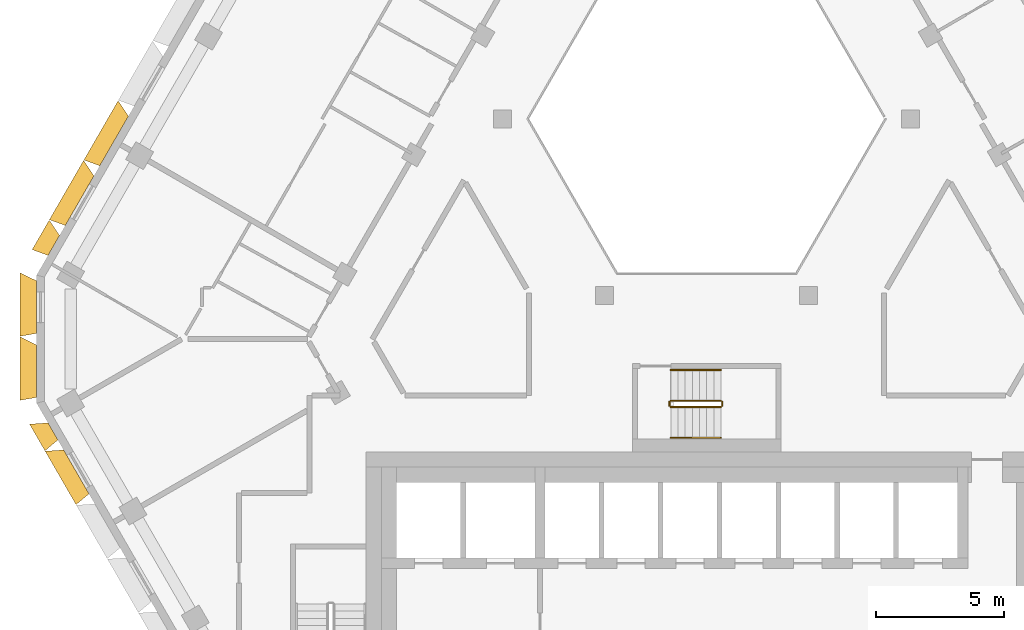
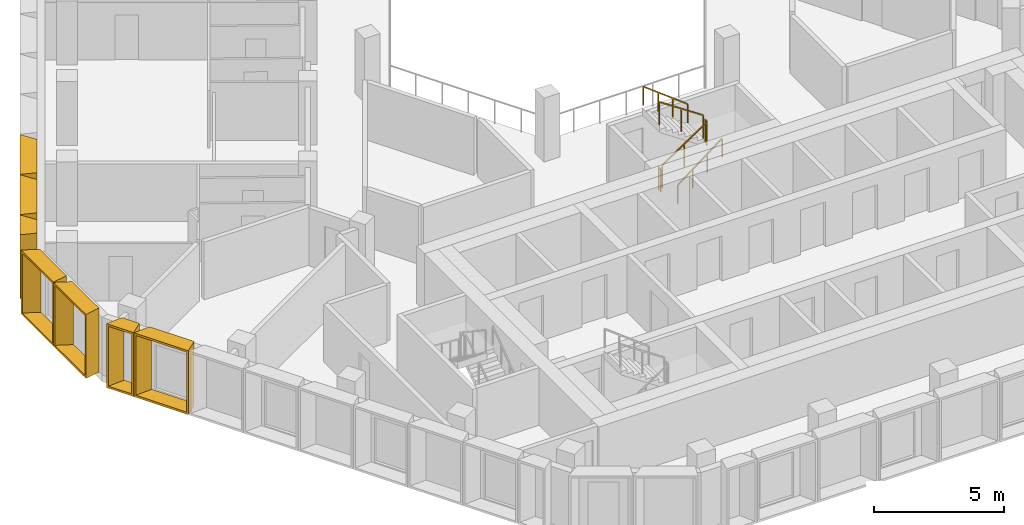
# One storey, part 12 of 15: 7 shading devices, 6 railings.
"""IFC4 building model written with IfcOpenShell, lengths in metres."""

from ifc_helpers import new_model, entity, si_unit, direction, frame, origin, origin_2d, place, context, subcontext, project, spatial, rectangle, extrude, source, transform, mapped, material, type_object, type_shapes, element, save


model = new_model("IFC4")

# Units and contexts
model_context = context("Model", 3, precision=1e-05, world=origin(), true_north=direction((0.0, 1.0)))
body_context = subcontext(model_context, "Body", "Model", "MODEL_VIEW")
ifc_project = project(units=[si_unit("LENGTHUNIT", "METRE"), si_unit("AREAUNIT", "SQUARE_METRE"), si_unit("VOLUMEUNIT", "CUBIC_METRE"), si_unit("PLANEANGLEUNIT", "RADIAN"), si_unit("MASSUNIT", "GRAM", prefix="KILO")], contexts=[model_context])

# Site, building, storey
site_placement = place(None, origin())
site = spatial("IfcSite", under=ifc_project, at=site_placement, CompositionType="ELEMENT")
building_placement = place(site_placement, origin())
building = spatial("IfcBuilding", under=site, at=building_placement, Name="Beryl Residences", CompositionType="ELEMENT")
storey_placement = place(building_placement, frame((0.0, 0.0, 193.199951171875)))
storey = spatial("IfcBuildingStorey", under=building, at=storey_placement, Name="L59", CompositionType="ELEMENT", Elevation=193.199951171875)

# Shading devices
ifc_material_1 = material(Name="Aluminium pale anodised", Category="aluminium")
shading_device_type_1 = type_object("IfcShadingDeviceType", Name="FR122-65B OUTER SKIN frame 650 mm deep, splay 26/10 deg, 1220 x 3000 mm cell", PredefinedType="USERDEFINED", material=ifc_material_1)
cartesian_point_1 = entity("IfcCartesianPoint", [-0.384033203125, 0.0])
cartesian_point_2 = entity("IfcCartesianPoint", [-0.294921875, 0.10009765625])
cartesian_point_3 = entity("IfcCartesianPoint", [-0.700927734375, 0.0])
cartesian_point_4 = entity("IfcCartesianPoint", [-0.612060546875, 0.10009765625])
shared_shape_1 = source(origin(), body_context, "Body", "SweptSolid", [
    entity("IfcExtrudedAreaSolidTapered", entity("IfcArbitraryProfileDefWithVoids", "AREA", None, entity("IfcPolyline", [cartesian_point_1, entity("IfcCartesianPoint", [0.384033203125, 0.0]), entity("IfcCartesianPoint", [0.384033203125, 3.0]), entity("IfcCartesianPoint", [-0.384033203125, 3.0]), cartesian_point_1]), [entity("IfcPolyline", [cartesian_point_2, entity("IfcCartesianPoint", [0.302734375, 0.10009765625]), entity("IfcCartesianPoint", [0.302734375, 2.89990234375]), entity("IfcCartesianPoint", [-0.294921875, 2.89990234375]), cartesian_point_2])]), entity("IfcAxis2Placement3D", entity("IfcCartesianPoint", [0.0, 0.0, 0.0]), entity("IfcDirection", [0.0, 1.0, 0.0]), entity("IfcDirection", [-1.0, 0.0, 0.0])), entity("IfcDirection", [0.0, 0.0, 1.0]), 0.64990234375, entity("IfcArbitraryProfileDefWithVoids", "AREA", None, entity("IfcPolyline", [cartesian_point_3, entity("IfcCartesianPoint", [0.49853515625, 0.0]), entity("IfcCartesianPoint", [0.49853515625, 3.0]), entity("IfcCartesianPoint", [-0.700927734375, 3.0]), cartesian_point_3]), [entity("IfcPolyline", [cartesian_point_4, entity("IfcCartesianPoint", [0.41748046875, 0.10009765625]), entity("IfcCartesianPoint", [0.41748046875, 2.89990234375]), entity("IfcCartesianPoint", [-0.612060546875, 2.89990234375]), cartesian_point_4])])),
])
type_shapes(shading_device_type_1, [shared_shape_1])
shading_device_1_placement = place(storey_placement, frame((-25.51708984375, -4.200927734375, 0.0), z_axis=(0.0, 0.0, 1.0), x_axis=(-0.5, 0.866025403784, 0.0)))
element("IfcShadingDevice", 1, at=shading_device_1_placement, inside=storey, type_object=shading_device_type_1, Name="FR122-65B frame L59 SW 1", ObjectType="OUTER SKIN", PredefinedType="USERDEFINED", context=body_context, shape_type="MappedRepresentation", body=[
    mapped(shared_shape_1, transform((0.0, 0.0, 0.0))),
])
ifc_material_2 = material(Name="Aluminium pale anodised", Category="aluminium")
shading_device_type_2 = type_object("IfcShadingDeviceType", Name="FR135-65B OUTER SKIN frame 650 mm deep, splay 26/10 deg, 1350 x 3000 mm cell", PredefinedType="USERDEFINED", material=ifc_material_2)
cartesian_point_5 = entity("IfcCartesianPoint", [-0.448974609375, 0.0])
cartesian_point_6 = entity("IfcCartesianPoint", [-0.360107421875, 0.10009765625])
cartesian_point_7 = entity("IfcCartesianPoint", [-0.76611328125, 0.0])
cartesian_point_8 = entity("IfcCartesianPoint", [-0.677001953125, 0.10009765625])
shared_shape_2 = source(origin(), body_context, "Body", "SweptSolid", [
    entity("IfcExtrudedAreaSolidTapered", entity("IfcArbitraryProfileDefWithVoids", "AREA", None, entity("IfcPolyline", [cartesian_point_5, entity("IfcCartesianPoint", [0.448974609375, 0.0]), entity("IfcCartesianPoint", [0.448974609375, 3.0]), entity("IfcCartesianPoint", [-0.448974609375, 3.0]), cartesian_point_5]), [entity("IfcPolyline", [cartesian_point_6, entity("IfcCartesianPoint", [0.36767578125, 0.10009765625]), entity("IfcCartesianPoint", [0.36767578125, 2.89990234375]), entity("IfcCartesianPoint", [-0.360107421875, 2.89990234375]), cartesian_point_6])]), entity("IfcAxis2Placement3D", entity("IfcCartesianPoint", [0.0, 0.0, 0.0]), entity("IfcDirection", [0.0, 1.0, 0.0]), entity("IfcDirection", [-1.0, 0.0, 0.0])), entity("IfcDirection", [0.0, 0.0, 1.0]), 0.64990234375, entity("IfcArbitraryProfileDefWithVoids", "AREA", None, entity("IfcPolyline", [cartesian_point_7, entity("IfcCartesianPoint", [0.563720703125, 0.0]), entity("IfcCartesianPoint", [0.563720703125, 3.0]), entity("IfcCartesianPoint", [-0.76611328125, 3.0]), cartesian_point_7]), [entity("IfcPolyline", [cartesian_point_8, entity("IfcCartesianPoint", [0.482421875, 0.10009765625]), entity("IfcCartesianPoint", [0.482421875, 2.89990234375]), entity("IfcCartesianPoint", [-0.677001953125, 2.89990234375]), cartesian_point_8])])),
])
type_shapes(shading_device_type_2, [shared_shape_2])
shading_device_2_placement = place(storey_placement, frame((-25.485107421875, 3.056884765625, 0.0), z_axis=(0.0, 0.0, 1.0), x_axis=(0.5, 0.866025403784, 0.0)))
element("IfcShadingDevice", 2, at=shading_device_2_placement, inside=storey, type_object=shading_device_type_2, Name="FR135-65B frame L59 NW 9", ObjectType="OUTER SKIN", PredefinedType="USERDEFINED", context=body_context, shape_type="MappedRepresentation", body=[
    mapped(shared_shape_2, transform((0.0, 0.0, 0.0))),
])
ifc_material_3 = material(Name="Aluminium pale anodised", Category="aluminium")
shading_device_type_3 = type_object("IfcShadingDeviceType", Name="FR243-65B OUTER SKIN frame 650 mm deep, splay 26/10 deg, 2430 x 3000 mm cell", PredefinedType="USERDEFINED", material=ifc_material_3)
cartesian_point_9 = entity("IfcCartesianPoint", [-0.989013671875, 0.0])
cartesian_point_10 = entity("IfcCartesianPoint", [-0.89990234375, 0.10009765625])
cartesian_point_11 = entity("IfcCartesianPoint", [-1.305908203125, 0.0])
cartesian_point_12 = entity("IfcCartesianPoint", [-1.217041015625, 0.10009765625])
shared_shape_3 = source(origin(), body_context, "Body", "SweptSolid", [
    entity("IfcExtrudedAreaSolidTapered", entity("IfcArbitraryProfileDefWithVoids", "AREA", None, entity("IfcPolyline", [cartesian_point_9, entity("IfcCartesianPoint", [0.989013671875, 0.0]), entity("IfcCartesianPoint", [0.989013671875, 3.0]), entity("IfcCartesianPoint", [-0.989013671875, 3.0]), cartesian_point_9]), [entity("IfcPolyline", [cartesian_point_10, entity("IfcCartesianPoint", [0.90771484375, 0.10009765625]), entity("IfcCartesianPoint", [0.90771484375, 2.89990234375]), entity("IfcCartesianPoint", [-0.89990234375, 2.89990234375]), cartesian_point_10])]), entity("IfcAxis2Placement3D", entity("IfcCartesianPoint", [0.0, 0.0, 0.0]), entity("IfcDirection", [0.0, 1.0, 0.0]), entity("IfcDirection", [-1.0, 0.0, 0.0])), entity("IfcDirection", [0.0, 0.0, 1.0]), 0.64990234375, entity("IfcArbitraryProfileDefWithVoids", "AREA", None, entity("IfcPolyline", [cartesian_point_11, entity("IfcCartesianPoint", [1.103515625, 0.0]), entity("IfcCartesianPoint", [1.103515625, 3.0]), entity("IfcCartesianPoint", [-1.305908203125, 3.0]), cartesian_point_11]), [entity("IfcPolyline", [cartesian_point_12, entity("IfcCartesianPoint", [1.0224609375, 0.10009765625]), entity("IfcCartesianPoint", [1.0224609375, 2.89990234375]), entity("IfcCartesianPoint", [-1.217041015625, 2.89990234375]), cartesian_point_12])])),
])
type_shapes(shading_device_type_3, [shared_shape_3])
shading_device_3_placement = place(storey_placement, frame((-24.60498046875, -5.781005859375, 0.0), z_axis=(0.0, 0.0, 1.0), x_axis=(-0.5, 0.866025403784, 0.0)))
element("IfcShadingDevice", 3, at=shading_device_3_placement, inside=storey, type_object=shading_device_type_3, Name="FR243-65B frame L59 SW 2", ObjectType="OUTER SKIN", PredefinedType="USERDEFINED", context=body_context, shape_type="MappedRepresentation", body=[
    mapped(shared_shape_3, transform((0.0, 0.0, 0.0))),
])
ifc_material_4 = material(Name="Aluminium pale anodised", Category="aluminium")
shading_device_type_4 = type_object("IfcShadingDeviceType", Name="FR250-65B OUTER SKIN frame 650 mm deep, splay 26/10 deg, 2500 x 3000 mm cell", PredefinedType="USERDEFINED", material=ifc_material_4)
cartesian_point_13 = entity("IfcCartesianPoint", [-1.02392578125, 0.0])
cartesian_point_14 = entity("IfcCartesianPoint", [-0.93505859375, 0.10009765625])
cartesian_point_15 = entity("IfcCartesianPoint", [-1.341064453125, 0.0])
cartesian_point_16 = entity("IfcCartesianPoint", [-1.251953125, 0.10009765625])
shared_shape_4 = source(origin(), body_context, "Body", "SweptSolid", [
    entity("IfcExtrudedAreaSolidTapered", entity("IfcArbitraryProfileDefWithVoids", "AREA", None, entity("IfcPolyline", [cartesian_point_13, entity("IfcCartesianPoint", [1.02392578125, 0.0]), entity("IfcCartesianPoint", [1.02392578125, 3.0]), entity("IfcCartesianPoint", [-1.02392578125, 3.0]), cartesian_point_13]), [entity("IfcPolyline", [cartesian_point_14, entity("IfcCartesianPoint", [0.94287109375, 0.10009765625]), entity("IfcCartesianPoint", [0.94287109375, 2.89990234375]), entity("IfcCartesianPoint", [-0.93505859375, 2.89990234375]), cartesian_point_14])]), entity("IfcAxis2Placement3D", entity("IfcCartesianPoint", [0.0, 0.0, 0.0]), entity("IfcDirection", [0.0, 1.0, 0.0]), entity("IfcDirection", [-1.0, 0.0, 0.0])), entity("IfcDirection", [0.0, 0.0, 1.0]), 0.64990234375, entity("IfcArbitraryProfileDefWithVoids", "AREA", None, entity("IfcPolyline", [cartesian_point_15, entity("IfcCartesianPoint", [1.138671875, 0.0]), entity("IfcCartesianPoint", [1.138671875, 3.0]), entity("IfcCartesianPoint", [-1.341064453125, 3.0]), cartesian_point_15]), [entity("IfcPolyline", [cartesian_point_16, entity("IfcCartesianPoint", [1.057373046875, 0.10009765625]), entity("IfcCartesianPoint", [1.057373046875, 2.89990234375]), entity("IfcCartesianPoint", [-1.251953125, 2.89990234375]), cartesian_point_16])])),
])
type_shapes(shading_device_type_4, [shared_shape_4])
for number, where, z_axis, x_axis, name in (
    (4, (-26.154052734375, 0.64990234375, 0.0), (0.0, 0.0, 1.0), (0.0, 1.0, 0.0), "FR250-65B frame L59 NW-SW 1"),
    (5, (-26.154052734375, -1.85009765625, 0.0), (0.0, 0.0, 1.0), (0.0, 1.0, 0.0), "FR250-65B frame L59 NW-SW 2"),
):
    element("IfcShadingDevice", number, at=place(storey_placement, frame(where, z_axis=z_axis, x_axis=x_axis)), inside=storey, type_object=shading_device_type_4, Name=name, ObjectType="OUTER SKIN", PredefinedType="USERDEFINED", context=body_context, shape_type="MappedRepresentation", body=[
        mapped(shared_shape_4, transform((0.0, 0.0, 0.0))),
    ])
ifc_material_5 = material(Name="Aluminium pale anodised", Category="aluminium")
shading_device_type_5 = type_object("IfcShadingDeviceType", Name="FR269-65B OUTER SKIN frame 650 mm deep, splay 26/10 deg, 2690 x 3000 mm cell", PredefinedType="USERDEFINED", material=ifc_material_5)
cartesian_point_17 = entity("IfcCartesianPoint", [-1.118896484375, 0.0])
cartesian_point_18 = entity("IfcCartesianPoint", [-1.030029296875, 0.10009765625])
cartesian_point_19 = entity("IfcCartesianPoint", [-1.43603515625, 0.0])
cartesian_point_20 = entity("IfcCartesianPoint", [-1.346923828125, 0.10009765625])
shared_shape_5 = source(origin(), body_context, "Body", "SweptSolid", [
    entity("IfcExtrudedAreaSolidTapered", entity("IfcArbitraryProfileDefWithVoids", "AREA", None, entity("IfcPolyline", [cartesian_point_17, entity("IfcCartesianPoint", [1.118896484375, 0.0]), entity("IfcCartesianPoint", [1.118896484375, 3.0]), entity("IfcCartesianPoint", [-1.118896484375, 3.0]), cartesian_point_17]), [entity("IfcPolyline", [cartesian_point_18, entity("IfcCartesianPoint", [1.037841796875, 0.10009765625]), entity("IfcCartesianPoint", [1.037841796875, 2.89990234375]), entity("IfcCartesianPoint", [-1.030029296875, 2.89990234375]), cartesian_point_18])]), entity("IfcAxis2Placement3D", entity("IfcCartesianPoint", [0.0, 0.0, 0.0]), entity("IfcDirection", [0.0, 1.0, 0.0]), entity("IfcDirection", [-1.0, 0.0, 0.0])), entity("IfcDirection", [0.0, 0.0, 1.0]), 0.64990234375, entity("IfcArbitraryProfileDefWithVoids", "AREA", None, entity("IfcPolyline", [cartesian_point_19, entity("IfcCartesianPoint", [1.233642578125, 0.0]), entity("IfcCartesianPoint", [1.233642578125, 3.0]), entity("IfcCartesianPoint", [-1.43603515625, 3.0]), cartesian_point_19]), [entity("IfcPolyline", [cartesian_point_20, entity("IfcCartesianPoint", [1.15234375, 0.10009765625]), entity("IfcCartesianPoint", [1.15234375, 2.89990234375]), entity("IfcCartesianPoint", [-1.346923828125, 2.89990234375]), cartesian_point_20])])),
])
type_shapes(shading_device_type_5, [shared_shape_5])
for number, where, z_axis, x_axis, name in (
    (6, (-23.1298828125, 7.136962890625, 0.0), (0.0, 0.0, 1.0), (0.5, 0.866025403784, 0.0), "FR269-65B frame L59 NW 7"),
    (7, (-24.47607421875, 4.805908203125, 0.0), (0.0, 0.0, 1.0), (0.5, 0.866025403784, 0.0), "FR269-65B frame L59 NW 8"),
):
    element("IfcShadingDevice", number, at=place(storey_placement, frame(where, z_axis=z_axis, x_axis=x_axis)), inside=storey, type_object=shading_device_type_5, Name=name, ObjectType="OUTER SKIN", PredefinedType="USERDEFINED", context=body_context, shape_type="MappedRepresentation", body=[
        mapped(shared_shape_5, transform((0.0, 0.0, 0.0))),
    ])

# Railings
ifc_material_6 = material(Name="Stainless steel balustrade with glass infill", Category="steel")
railing_type_1 = type_object("IfcRailingType", Name="SG1 stair guard 1100 mm", PredefinedType="GUARDRAIL", material=ifc_material_6)
railing_1_placement = place(storey_placement, frame((-1.39990234375, -3.25, 0.1875)))
element("IfcRailing", 8, at=railing_1_placement, inside=storey, type_object=railing_type_1, Name="L59 ST-4 stair guard 1", PredefinedType="GUARDRAIL", context=body_context, shape_type="SweptSolid", body=[
    extrude(rectangle(XDim=0.048095703125, YDim=0.048095703125, at=origin_2d()), frame((0.0, 0.0, 1.076171875), z_axis=(0.830902050051, 0.0, 0.556418712142), x_axis=(0.0, 1.0, 0.0)), (0.0, 0.0, 1.0), 2.35888671875),
    extrude(rectangle(XDim=0.0419921875, YDim=0.0419921875, at=origin_2d()), origin(), (0.0, 0.0, 1.0), 1.052001953125),
    extrude(rectangle(XDim=0.0419921875, YDim=0.0419921875, at=origin_2d()), frame((0.97998046875, 0.0, 0.65625)), (0.0, 0.0, 1.0), 1.052001953125),
    extrude(rectangle(XDim=0.0419921875, YDim=0.0419921875, at=origin_2d()), frame((1.9599609375, 0.0, 1.3125)), (0.0, 0.0, 1.0), 1.052001953125),
])
railing_2_placement = place(storey_placement, frame((0.610107421875, -3.199951171875, 1.5)))
element("IfcRailing", 9, at=railing_2_placement, inside=storey, type_object=railing_type_1, Name="L59 ST-4 stair guard 2", PredefinedType="GUARDRAIL", context=body_context, shape_type="SweptSolid", body=[
    extrude(rectangle(XDim=0.048095703125, YDim=0.048095703125, at=origin_2d()), frame((0.0, 0.0, 1.076171875), z_axis=(0.0, 1.0, 0.0), x_axis=(-1.0, 0.0, 0.0)), (0.0, 0.0, 1.0), 0.14990234375),
    extrude(rectangle(XDim=0.0419921875, YDim=0.0419921875, at=origin_2d()), origin(), (0.0, 0.0, 1.0), 1.052001953125),
    extrude(rectangle(XDim=0.0419921875, YDim=0.0419921875, at=origin_2d()), frame((0.0, 0.14990234375, 0.0)), (0.0, 0.0, 1.0), 1.052001953125),
])
railing_3_placement = place(storey_placement, frame((0.56005859375, -3.0, 1.6875)))
element("IfcRailing", 10, at=railing_3_placement, inside=storey, type_object=railing_type_1, Name="L59 ST-4 stair guard 3", PredefinedType="GUARDRAIL", context=body_context, shape_type="SweptSolid", body=[
    extrude(rectangle(XDim=0.048095703125, YDim=0.048095703125, at=origin_2d()), frame((0.0, 0.0, 1.076171875), z_axis=(-0.830902050051, 0.0, 0.556418712142), x_axis=(0.0, -1.0, 0.0)), (0.0, 0.0, 1.0), 2.35888671875),
    extrude(rectangle(XDim=0.0419921875, YDim=0.0419921875, at=origin_2d()), origin(), (0.0, 0.0, 1.0), 1.052001953125),
    extrude(rectangle(XDim=0.0419921875, YDim=0.0419921875, at=origin_2d()), frame((-0.97998046875, 0.0, 0.65625)), (0.0, 0.0, 1.0), 1.052001953125),
    extrude(rectangle(XDim=0.0419921875, YDim=0.0419921875, at=origin_2d()), frame((-1.9599609375, 0.0, 1.3125)), (0.0, 0.0, 1.0), 1.052001953125),
])
railing_4_placement = place(storey_placement, frame((-1.449951171875, -3.199951171875, 0.0)))
element("IfcRailing", 11, at=railing_4_placement, inside=storey, type_object=railing_type_1, Name="L59 ST-4 stair guard 4", PredefinedType="GUARDRAIL", context=body_context, shape_type="SweptSolid", body=[
    extrude(rectangle(XDim=0.048095703125, YDim=0.048095703125, at=origin_2d()), frame((0.0, 0.0, 1.076171875), z_axis=(0.0, 1.0, 0.0), x_axis=(-1.0, 0.0, 0.0)), (0.0, 0.0, 1.0), 0.14990234375),
    extrude(rectangle(XDim=0.0419921875, YDim=0.0419921875, at=origin_2d()), origin(), (0.0, 0.0, 1.0), 1.052001953125),
    extrude(rectangle(XDim=0.0419921875, YDim=0.0419921875, at=origin_2d()), frame((0.0, 0.14990234375, 0.0)), (0.0, 0.0, 1.0), 1.052001953125),
])
ifc_material_7 = material(Name="Stainless steel handrail", Category="steel")
railing_type_2 = type_object("IfcRailingType", Name="SRL1 stair handrail 900 mm", PredefinedType="HANDRAIL", material=ifc_material_7)
railing_5_placement = place(storey_placement, frame((-1.39990234375, -4.449951171875, 0.1875)))
element("IfcRailing", 12, at=railing_5_placement, inside=storey, type_object=railing_type_2, Name="L59 ST-4 stair handrail 1", PredefinedType="HANDRAIL", context=body_context, shape_type="SweptSolid", body=[
    extrude(rectangle(XDim=0.048095703125, YDim=0.048095703125, at=origin_2d()), frame((0.0, 0.0, 0.8759765625), z_axis=(0.794121922505, 0.0, 0.607758481798), x_axis=(0.0, 1.0, 0.0)), (0.0, 0.0, 1.0), 2.468017578125),
    extrude(rectangle(XDim=0.0419921875, YDim=0.0419921875, at=origin_2d()), origin(), (0.0, 0.0, 1.0), 0.851806640625),
    extrude(rectangle(XDim=0.0419921875, YDim=0.0419921875, at=origin_2d()), frame((0.6533203125, 0.0, 0.5)), (0.0, 0.0, 1.0), 0.851806640625),
    extrude(rectangle(XDim=0.0419921875, YDim=0.0419921875, at=origin_2d()), frame((1.306640625, 0.0, 1.0)), (0.0, 0.0, 1.0), 0.851806640625),
    extrude(rectangle(XDim=0.0419921875, YDim=0.0419921875, at=origin_2d()), frame((1.9599609375, 0.0, 1.5)), (0.0, 0.0, 1.0), 0.851806640625),
])
railing_6_placement = place(storey_placement, frame((0.56005859375, -1.800048828125, 1.6875)))
element("IfcRailing", 13, at=railing_6_placement, inside=storey, type_object=railing_type_2, Name="L59 ST-4 stair handrail 2", PredefinedType="HANDRAIL", context=body_context, shape_type="SweptSolid", body=[
    extrude(rectangle(XDim=0.048095703125, YDim=0.048095703125, at=origin_2d()), frame((0.0, 0.0, 0.8759765625), z_axis=(-0.794121922505, 0.0, 0.607758481798), x_axis=(0.0, -1.0, 0.0)), (0.0, 0.0, 1.0), 2.468017578125),
    extrude(rectangle(XDim=0.0419921875, YDim=0.0419921875, at=origin_2d()), origin(), (0.0, 0.0, 1.0), 0.851806640625),
    extrude(rectangle(XDim=0.0419921875, YDim=0.0419921875, at=origin_2d()), frame((-0.6533203125, 0.0, 0.5)), (0.0, 0.0, 1.0), 0.851806640625),
    extrude(rectangle(XDim=0.0419921875, YDim=0.0419921875, at=origin_2d()), frame((-1.306640625, 0.0, 1.0)), (0.0, 0.0, 1.0), 0.851806640625),
    extrude(rectangle(XDim=0.0419921875, YDim=0.0419921875, at=origin_2d()), frame((-1.9599609375, 0.0, 1.5)), (0.0, 0.0, 1.0), 0.851806640625),
])

save(model, "model.ifc")
